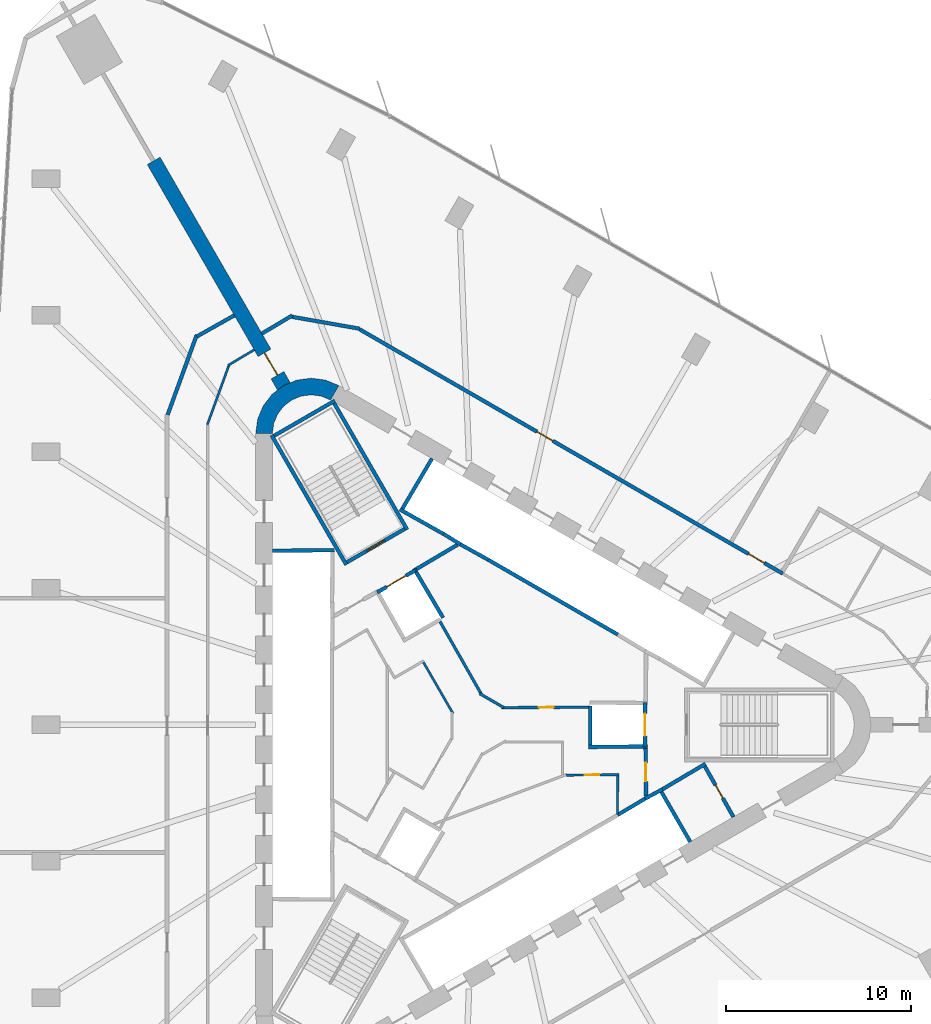
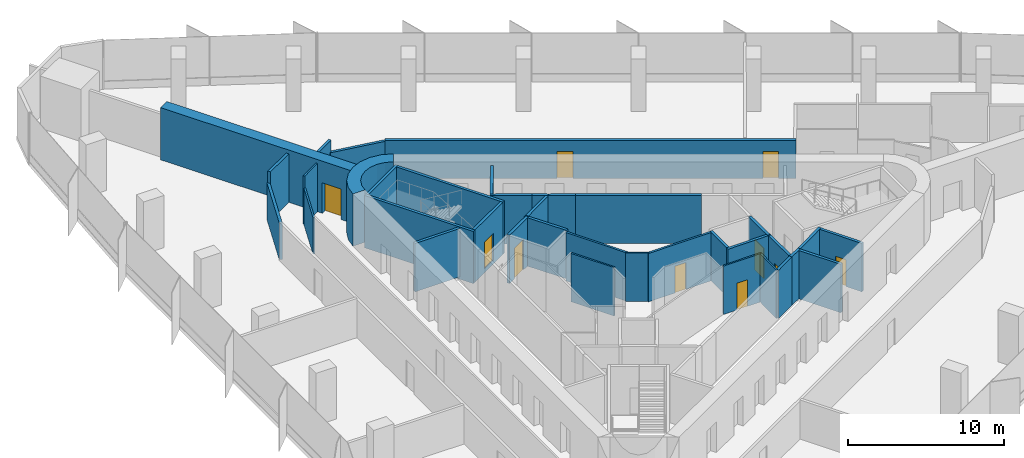
# One storey, part 11 of 14: 37 walls, 10 doors, 10 openings.
"""IFC4 building model written with IfcOpenShell, lengths in metres."""

from ifc_helpers import new_model, si_unit, direction, frame, frame_2d, origin, place, context, subcontext, project, spatial, polyline, rectangle, outline, extrude, material, layer, layer_set, type_object, element, fill, save


model = new_model("IFC4")

# Units and contexts
model_context = context("Model", 3, precision=1e-05, world=origin(), true_north=direction((0.0, 1.0)))
body_context = subcontext(model_context, "Body", "Model", "MODEL_VIEW")
ifc_project = project(units=[si_unit("LENGTHUNIT", "METRE"), si_unit("AREAUNIT", "SQUARE_METRE"), si_unit("VOLUMEUNIT", "CUBIC_METRE"), si_unit("PLANEANGLEUNIT", "RADIAN"), si_unit("MASSUNIT", "GRAM", prefix="KILO")], contexts=[model_context])

# Site, building, storey
site_placement = place(None, origin())
site = spatial("IfcSite", under=ifc_project, at=site_placement, CompositionType="ELEMENT")
building_placement = place(site_placement, origin())
building = spatial("IfcBuilding", under=site, at=building_placement, Name="Tanit Gate Tower", CompositionType="ELEMENT")
storey_placement = place(building_placement, frame((0.0, 0.0, 49.60009765625)))
storey = spatial("IfcBuildingStorey", under=building, at=storey_placement, Name="L08", CompositionType="ELEMENT", Elevation=49.60009765625)

# Wall, opening, door
ifc_material_1 = material(Name="Concrete C60/75", Category="concrete")
ifc_layer_1 = layer(ifc_material_1, 0.800048828125)
ifc_layer_set_1 = layer_set([ifc_layer_1], Name="BUTTRESS FIN 800 C60/75")
wall_type_1 = type_object("IfcWallType", Name="BUTTRESS FIN 800 C60/75", PredefinedType="SHEAR", material=ifc_layer_set_1)
wall_1_placement = place(storey_placement, frame((-10.574951171875, 18.31640625, 0.0), z_axis=(0.0, 0.0, 1.0), x_axis=(-0.499996272984, 0.866027555568, 0.0)))
wall_1 = element("IfcWall", 1, at=wall_1_placement, inside=storey, type_object=wall_type_1, Name="BUTTRESS FIN", PredefinedType="SHEAR", context=body_context, shape_type="SweptSolid", body=[
    extrude(rectangle(XDim=14.09814453125, YDim=0.800048828125, at=frame_2d((7.049072265625, 0.0))), origin(), (0.0, 0.0, 1.0), 4.099853515625),
])
opening_1_placement = place(wall_1_placement, frame((0.699951171875, 0.0, 0.0)))
opening_1 = element("IfcOpeningElement", 2, at=opening_1_placement, cuts=wall_1, Name="Opening P14-S00-F-NW-1", PredefinedType="OPENING", context=body_context, shape_type="SweptSolid", body=[
    extrude(rectangle(XDim=1.39990234375, YDim=2.39990234375, at=frame_2d((0.699951171875, 1.199951171875))), frame((0.0, 0.41015625, 0.0), z_axis=(0.0, -1.0, 0.0), x_axis=(1.0, 0.0, 0.0)), (0.0, 0.0, 1.0), 0.820068359375),
])
ifc_material_2 = material(Name="Timber door leaf", Category="wood")
door_type_1 = type_object("IfcDoorType", Name="INT-DOOR-FIN-PAIR-1400", OperationType="NOTDEFINED", PredefinedType="NOTDEFINED", material=ifc_material_2)
door_1_placement = place(opening_1_placement, origin())
door_1 = element("IfcDoor", 3, at=door_1_placement, inside=storey, type_object=door_type_1, Name="Door P14-S00-F-NW-1", OperationType="DOUBLE_DOOR_SINGLE_SWING", OverallHeight=2.39990234375, OverallWidth=1.39990234375, PredefinedType="NOTDEFINED", context=body_context, shape_type="SweptSolid", body=[
    extrude(rectangle(XDim=1.39990234375, YDim=2.39990234375, at=frame_2d((0.699951171875, 1.199951171875))), frame((0.0, 0.02490234375, 0.0), z_axis=(0.0, -1.0, 0.0), x_axis=(1.0, 0.0, 0.0)), (0.0, 0.0, 1.0), 0.050048828125),
])
fill(opening_1, door_1)

# Walls
ifc_material_3 = material(Name="Concrete C60/75", Category="concrete")
ifc_layer_2 = layer(ifc_material_3, 0.89990234375)
ifc_layer_set_2 = layer_set([ifc_layer_2], Name="CORE WALL 900 C60/75")
wall_type_2 = type_object("IfcWallType", Name="CORE WALL 900 C60/75", PredefinedType="SHEAR", material=ifc_layer_set_2)
wall_2_placement = place(storey_placement, origin())
element("IfcWall", 4, at=wall_2_placement, inside=storey, type_object=wall_type_2, Name="CORE WALL CORNER", PredefinedType="SHEAR", context=body_context, shape_type="SweptSolid", body=[
    extrude(outline(polyline([(-7.60009765625, 18.359619140625), (-8.323486328125, 18.659423828125), (-9.10009765625, 18.76171875), (-9.87646484375, 18.659423828125), (-10.60009765625, 18.359619140625), (-11.22119140625, 17.883056640625), (-11.697998046875, 17.26171875), (-11.997802734375, 16.5380859375), (-12.10009765625, 15.76171875), (-11.199951171875, 15.76171875), (-11.12841796875, 16.30517578125), (-10.918701171875, 16.811767578125), (-10.5849609375, 17.24658203125), (-10.14990234375, 17.580322265625), (-9.6435546875, 17.7900390625), (-9.10009765625, 17.86181640625), (-8.556396484375, 17.7900390625), (-8.050048828125, 17.580322265625), (-7.60009765625, 18.359619140625)])), origin(), (0.0, 0.0, 1.0), 4.099853515625),
])
ifc_material_4 = material(Name="Fire-rated gypsum board partition")
ifc_layer_3 = layer(ifc_material_4, 0.199951171875)
ifc_layer_set_3 = layer_set([ifc_layer_3], Name="INT-WALL-COMPARTMENT")
wall_type_3 = type_object("IfcWallType", Name="INT-WALL-COMPARTMENT", PredefinedType="PARTITIONING", material=ifc_layer_set_3)
wall_3_placement = place(storey_placement, frame((12.244873046875, -2.10888671875, 0.0), z_axis=(0.0, 0.0, 1.0), x_axis=(-0.860414880418, -0.509594185166, 0.0)))
element("IfcWall", 5, at=wall_3_placement, inside=storey, type_object=wall_type_3, Name="Wall Compartment W057", PredefinedType="PARTITIONING", context=body_context, shape_type="SweptSolid", body=[
    extrude(rectangle(XDim=2.7001953125, YDim=0.199951171875, at=frame_2d((1.35009765625, 0.0))), origin(), (0.0, 0.0, 1.0), 3.7998046875),
])

# Wall, opening, door
wall_4_placement = place(storey_placement, frame((13.758056640625, -4.989501953125, 0.0), z_axis=(0.0, 0.0, 1.0), x_axis=(-0.491993409184, 0.87059892334, 0.0)))
wall_4 = element("IfcWall", 6, at=wall_4_placement, inside=storey, type_object=wall_type_3, Name="Wall Compartment W058", PredefinedType="PARTITIONING", context=body_context, shape_type="SweptSolid", body=[
    extrude(rectangle(XDim=3.150146484375, YDim=0.199951171875, at=frame_2d((1.5751953125, 0.0))), origin(), (0.0, 0.0, 1.0), 3.7998046875),
])
opening_2_placement = place(wall_4_placement, frame((1.175048828125, 0.0, 0.0)))
opening_2 = element("IfcOpeningElement", 7, at=opening_2_placement, cuts=wall_4, Name="Opening R08-S00-15", PredefinedType="OPENING", context=body_context, shape_type="SweptSolid", body=[
    extrude(rectangle(XDim=0.800048828125, YDim=2.10009765625, at=frame_2d((0.39990234375, 1.050048828125))), frame((0.0, 0.10986328125, 0.0), z_axis=(0.0, -1.0, 0.0), x_axis=(1.0, 0.0, 0.0)), (0.0, 0.0, 1.0), 0.219970703125),
])
ifc_material_5 = material(Name="Timber door leaf", Category="wood")
door_type_2 = type_object("IfcDoorType", Name="INT-DOOR-RISER-800", OperationType="NOTDEFINED", PredefinedType="USERDEFINED", material=ifc_material_5)
door_2_placement = place(opening_2_placement, origin())
door_2 = element("IfcDoor", 8, at=door_2_placement, inside=storey, type_object=door_type_2, Name="Door R08-S00-15", ObjectType="FIRE DOOR", OperationType="SINGLE_SWING_RIGHT", OverallHeight=2.10009765625, OverallWidth=0.800048828125, PredefinedType="USERDEFINED", context=body_context, shape_type="SweptSolid", body=[
    extrude(rectangle(XDim=0.800048828125, YDim=2.10009765625, at=frame_2d((0.39990234375, 1.050048828125))), frame((0.0, 0.02490234375, 0.0), z_axis=(0.0, -1.0, 0.0), x_axis=(1.0, 0.0, 0.0)), (0.0, 0.0, 1.0), 0.050048828125),
])
fill(opening_2, door_2)

wall_5_placement = place(storey_placement, frame((9.02880859375, -3.850830078125, 0.0), z_axis=(0.0, 0.0, 1.0), x_axis=(-0.010783593937, 0.99994185536, 0.0)))
wall_5 = element("IfcWall", 9, at=wall_5_placement, inside=storey, type_object=wall_type_3, Name="Wall Compartment W060", PredefinedType="PARTITIONING", context=body_context, shape_type="SweptSolid", body=[
    extrude(rectangle(XDim=2.5810546875, YDim=0.199951171875, at=frame_2d((1.29052734375, 0.0))), origin(), (0.0, 0.0, 1.0), 3.7998046875),
])
opening_3_placement = place(wall_5_placement, frame((0.79052734375, 0.0, 0.0)))
opening_3 = element("IfcOpeningElement", 10, at=opening_3_placement, cuts=wall_5, Name="Opening F10-S00-02", PredefinedType="OPENING", context=body_context, shape_type="SweptSolid", body=[
    extrude(rectangle(XDim=1.0, YDim=2.10009765625, at=frame_2d((0.5, 1.050048828125))), frame((0.0, 0.10986328125, 0.0), z_axis=(0.0, -1.0, 0.0), x_axis=(1.0, 0.0, 0.0)), (0.0, 0.0, 1.0), 0.219970703125),
])
ifc_material_6 = material(Name="Fire-rated steel door leaf", Category="steel")
door_type_3 = type_object("IfcDoorType", Name="INT-DOOR-FIRE-1000", OperationType="NOTDEFINED", PredefinedType="USERDEFINED", material=ifc_material_6)
door_3_placement = place(opening_3_placement, origin())
door_3 = element("IfcDoor", 11, at=door_3_placement, inside=storey, type_object=door_type_3, Name="Door F10-S00-02", ObjectType="FIRE DOOR", OperationType="SINGLE_SWING_LEFT", OverallHeight=2.10009765625, OverallWidth=1.0, PredefinedType="USERDEFINED", context=body_context, shape_type="SweptSolid", body=[
    extrude(rectangle(XDim=1.0, YDim=2.10009765625, at=frame_2d((0.5, 1.050048828125))), frame((0.0, 0.02490234375, 0.0), z_axis=(0.0, -1.0, 0.0), x_axis=(1.0, 0.0, 0.0)), (0.0, 0.0, 1.0), 0.050048828125),
])
fill(opening_3, door_3)

# Walls
wall_6_placement = place(storey_placement, frame((-1.1796875, 9.744384765625, 0.0), z_axis=(0.0, 0.0, 1.0), x_axis=(-0.860615607571, -0.509255118781, 0.0)))
element("IfcWall", 12, at=wall_6_placement, inside=storey, type_object=wall_type_3, Name="Wall Compartment W061", PredefinedType="PARTITIONING", context=body_context, shape_type="SweptSolid", body=[
    extrude(rectangle(XDim=2.58056640625, YDim=0.199951171875, at=frame_2d((1.290283203125, 0.0))), origin(), (0.0, 0.0, 1.0), 3.7998046875),
])
wall_7_placement = place(storey_placement, frame((-15.29345703125, 21.1015625, 0.0), z_axis=(0.0, 0.0, 1.0), x_axis=(-0.341981820704, -0.939706568195, 0.0)))
element("IfcWall", 13, at=wall_7_placement, inside=storey, type_object=wall_type_3, Name="Wall Compartment W098", PredefinedType="PARTITIONING", context=body_context, shape_type="SweptSolid", body=[
    extrude(rectangle(XDim=4.597412109375, YDim=0.199951171875, at=frame_2d((2.298828125, 0.0))), origin(), (0.0, 0.0, 1.0), 2.8798828125),
])
wall_8_placement = place(storey_placement, frame((-13.256591796875, 22.1611328125, 0.0), z_axis=(0.0, 0.0, 1.0), x_axis=(-0.871385546515, -0.49059884766, 0.0)))
element("IfcWall", 14, at=wall_8_placement, inside=storey, type_object=wall_type_3, Name="Wall Compartment W099", PredefinedType="PARTITIONING", context=body_context, shape_type="SweptSolid", body=[
    extrude(rectangle(XDim=2.33447265625, YDim=0.199951171875, at=frame_2d((1.167236328125, 0.0))), origin(), (0.0, 0.0, 1.0), 3.7998046875),
])
wall_9_placement = place(storey_placement, frame((-10.11767578125, 22.157470703125, 0.0), z_axis=(0.0, 0.0, 1.0), x_axis=(-0.859118225537, -0.511777172752, 0.0)))
element("IfcWall", 15, at=wall_9_placement, inside=storey, type_object=wall_type_3, Name="Wall Compartment W100", PredefinedType="PARTITIONING", context=body_context, shape_type="SweptSolid", body=[
    extrude(rectangle(XDim=1.916748046875, YDim=0.199951171875, at=frame_2d((0.95849609375, 0.0))), origin(), (0.0, 0.0, 1.0), 3.7998046875),
])
wall_10_placement = place(storey_placement, frame((-6.458984375, 21.435546875, 0.0), z_axis=(0.0, 0.0, 1.0), x_axis=(-0.984812903812, 0.173618963498, 0.0)))
element("IfcWall", 16, at=wall_10_placement, inside=storey, type_object=wall_type_3, Name="Wall Compartment W101", PredefinedType="PARTITIONING", context=body_context, shape_type="SweptSolid", body=[
    extrude(rectangle(XDim=3.76708984375, YDim=0.199951171875, at=frame_2d((1.883544921875, 0.0))), origin(), (0.0, 0.0, 1.0), 2.8798828125),
])

# Wall, openings, doors
wall_11_placement = place(storey_placement, frame((16.4228515625, 8.185302734375, 0.0), z_axis=(0.0, 0.0, 1.0), x_axis=(-0.866026561282, 0.49999799515, 0.0)))
wall_11 = element("IfcWall", 17, at=wall_11_placement, inside=storey, type_object=wall_type_3, Name="Wall Compartment W103", PredefinedType="PARTITIONING", context=body_context, shape_type="SweptSolid", body=[
    extrude(rectangle(XDim=26.43505859375, YDim=0.199951171875, at=frame_2d((13.217529296875, 0.0))), origin(), (0.0, 0.0, 1.0), 2.97998046875),
])
opening_4_placement = place(wall_11_placement, frame((14.3564453125, 0.0, 0.0)))
opening_4 = element("IfcOpeningElement", 18, at=opening_4_placement, cuts=wall_11, Name="Opening F10-S00-24", PredefinedType="OPENING", context=body_context, shape_type="SweptSolid", body=[
    extrude(rectangle(XDim=1.0, YDim=2.10009765625, at=frame_2d((0.5, 1.050048828125))), frame((0.0, 0.10986328125, 0.0), z_axis=(0.0, -1.0, 0.0), x_axis=(1.0, 0.0, 0.0)), (0.0, 0.0, 1.0), 0.219970703125),
])
opening_5_placement = place(wall_11_placement, frame((1.138671875, 0.0, 0.0)))
opening_5 = element("IfcOpeningElement", 19, at=opening_5_placement, cuts=wall_11, Name="Opening F10-S00-25", PredefinedType="OPENING", context=body_context, shape_type="SweptSolid", body=[
    extrude(rectangle(XDim=1.0, YDim=2.10009765625, at=frame_2d((0.5, 1.050048828125))), frame((0.0, 0.10986328125, 0.0), z_axis=(0.0, -1.0, 0.0), x_axis=(1.0, 0.0, 0.0)), (0.0, 0.0, 1.0), 0.219970703125),
])
door_4_placement = place(opening_4_placement, origin())
door_4 = element("IfcDoor", 20, at=door_4_placement, inside=storey, type_object=door_type_3, Name="Door F10-S00-24", ObjectType="FIRE DOOR", OperationType="SINGLE_SWING_LEFT", OverallHeight=2.10009765625, OverallWidth=1.0, PredefinedType="USERDEFINED", context=body_context, shape_type="SweptSolid", body=[
    extrude(rectangle(XDim=1.0, YDim=2.10009765625, at=frame_2d((0.5, 1.050048828125))), frame((0.0, 0.02490234375, 0.0), z_axis=(0.0, -1.0, 0.0), x_axis=(1.0, 0.0, 0.0)), (0.0, 0.0, 1.0), 0.050048828125),
])
fill(opening_4, door_4)
door_5_placement = place(opening_5_placement, origin())
door_5 = element("IfcDoor", 21, at=door_5_placement, inside=storey, type_object=door_type_3, Name="Door F10-S00-25", ObjectType="FIRE DOOR", OperationType="SINGLE_SWING_LEFT", OverallHeight=2.10009765625, OverallWidth=1.0, PredefinedType="USERDEFINED", context=body_context, shape_type="SweptSolid", body=[
    extrude(rectangle(XDim=1.0, YDim=2.10009765625, at=frame_2d((0.5, 1.050048828125))), frame((0.0, 0.02490234375, 0.0), z_axis=(0.0, -1.0, 0.0), x_axis=(1.0, 0.0, 0.0)), (0.0, 0.0, 1.0), 0.050048828125),
])
fill(opening_5, door_5)

# Wall, opening, door
ifc_material_7 = material(Name="Gypsum board partition")
ifc_layer_4 = layer(ifc_material_7, 0.1201171875)
ifc_layer_set_4 = layer_set([ifc_layer_4], Name="INT-WALL-PARTITION")
wall_type_4 = type_object("IfcWallType", Name="INT-WALL-PARTITION", PredefinedType="PARTITIONING", material=ifc_layer_set_4)
wall_12_placement = place(storey_placement, frame((7.56005859375, -2.699462890625, 0.0), z_axis=(0.0, 0.0, 1.0), x_axis=(-0.999948120507, -0.010186083405, 0.0)))
wall_12 = element("IfcWall", 22, at=wall_12_placement, inside=storey, type_object=wall_type_4, Name="Wall Partition W074", PredefinedType="PARTITIONING", context=body_context, shape_type="SweptSolid", body=[
    extrude(rectangle(XDim=2.852294921875, YDim=0.1201171875, at=frame_2d((1.42626953125, 0.0))), origin(), (0.0, 0.0, 1.0), 3.7998046875),
])
opening_6_placement = place(wall_12_placement, frame((1.05615234375, 0.0, 0.0)))
opening_6 = element("IfcOpeningElement", 23, at=opening_6_placement, cuts=wall_12, Name="Opening R08-S00-12", PredefinedType="OPENING", context=body_context, shape_type="SweptSolid", body=[
    extrude(rectangle(XDim=0.800048828125, YDim=2.10009765625, at=frame_2d((0.39990234375, 1.050048828125))), frame((0.0, 0.070068359375, 0.0), z_axis=(0.0, -1.0, 0.0), x_axis=(1.0, 0.0, 0.0)), (0.0, 0.0, 1.0), 0.14013671875),
])
door_6_placement = place(opening_6_placement, origin())
door_6 = element("IfcDoor", 24, at=door_6_placement, inside=storey, type_object=door_type_2, Name="Door R08-S00-12", ObjectType="FIRE DOOR", OperationType="SINGLE_SWING_LEFT", OverallHeight=2.10009765625, OverallWidth=0.800048828125, PredefinedType="USERDEFINED", context=body_context, shape_type="SweptSolid", body=[
    extrude(rectangle(XDim=0.800048828125, YDim=2.10009765625, at=frame_2d((0.39990234375, 1.050048828125))), frame((0.0, 0.02490234375, 0.0), z_axis=(0.0, -1.0, 0.0), x_axis=(1.0, 0.0, 0.0)), (0.0, 0.0, 1.0), 0.050048828125),
])
fill(opening_6, door_6)

# Walls
wall_13_placement = place(storey_placement, frame((7.474609375, -4.864501953125, 0.0), z_axis=(0.0, 0.0, 1.0), x_axis=(0.011716133148, 0.999931363757, 0.0)))
element("IfcWall", 25, at=wall_13_placement, inside=storey, type_object=wall_type_4, Name="Wall Partition W075", PredefinedType="PARTITIONING", context=body_context, shape_type="SweptSolid", body=[
    extrude(rectangle(XDim=2.104736328125, YDim=0.1201171875, at=frame_2d((1.05224609375, 0.0))), origin(), (0.0, 0.0, 1.0), 3.7998046875),
])
wall_14_placement = place(storey_placement, frame((-1.420166015625, 0.610107421875, 0.0), z_axis=(0.0, 0.0, 1.0), x_axis=(-0.500034908033, 0.866005248684, 0.0)))
element("IfcWall", 26, at=wall_14_placement, inside=storey, type_object=wall_type_4, Name="Wall Partition W083", PredefinedType="PARTITIONING", context=body_context, shape_type="SweptSolid", body=[
    extrude(rectangle(XDim=3.201416015625, YDim=0.1201171875, at=frame_2d((1.6005859375, 0.0))), origin(), (0.0, 0.0, 1.0), 3.7998046875),
])
wall_15_placement = place(storey_placement, frame((-12.181396484375, 20.299072265625, 0.0), z_axis=(0.0, 0.0, 1.0), x_axis=(-0.8583241935, -0.51310776534, 0.0)))
element("IfcWall", 27, at=wall_15_placement, inside=storey, type_object=wall_type_4, Name="Wall Partition W088", PredefinedType="PARTITIONING", context=body_context, shape_type="SweptSolid", body=[
    extrude(rectangle(XDim=1.65625, YDim=0.1201171875, at=frame_2d((0.828125, 0.0))), origin(), (0.0, 0.0, 1.0), 3.7998046875),
])
wall_16_placement = place(storey_placement, frame((-13.54931640625, 19.461181640625, 0.0), z_axis=(0.0, 0.0, 1.0), x_axis=(-0.341989191955, -0.939703885586, 0.0)))
element("IfcWall", 28, at=wall_16_placement, inside=storey, type_object=wall_type_4, Name="Wall Partition W089", PredefinedType="PARTITIONING", context=body_context, shape_type="SweptSolid", body=[
    extrude(rectangle(XDim=3.424560546875, YDim=0.1201171875, at=frame_2d((1.71240234375, 0.0))), origin(), (0.0, 0.0, 1.0), 2.8798828125),
])

# Wall, opening, door
ifc_material_8 = material(Name="Fire-rated gypsum board partition")
ifc_layer_5 = layer(ifc_material_8, 0.14990234375)
ifc_layer_set_5 = layer_set([ifc_layer_5], Name="INT-WALL-RISER")
wall_type_5 = type_object("IfcWallType", Name="INT-WALL-RISER", PredefinedType="PLUMBINGWALL", material=ifc_layer_set_5)
wall_17_placement = place(storey_placement, frame((1.21435546875, 0.924072265625, 0.0), z_axis=(0.0, 0.0, 1.0), x_axis=(0.999979796062, 0.006356686907, 0.0)))
wall_17 = element("IfcWall", 29, at=wall_17_placement, inside=storey, type_object=wall_type_5, Name="Wall Riser W065", PredefinedType="PLUMBINGWALL", context=body_context, shape_type="SweptSolid", body=[
    extrude(rectangle(XDim=4.685546875, YDim=0.14990234375, at=frame_2d((2.3427734375, 0.0))), origin(), (0.0, 0.0, 1.0), 3.7998046875),
])
opening_7_placement = place(wall_17_placement, frame((2.0068359375, 0.0, 0.0)))
opening_7 = element("IfcOpeningElement", 30, at=opening_7_placement, cuts=wall_17, Name="Opening R08-S00-10", PredefinedType="OPENING", context=body_context, shape_type="SweptSolid", body=[
    extrude(rectangle(XDim=0.800048828125, YDim=2.10009765625, at=frame_2d((0.39990234375, 1.050048828125))), frame((0.0, 0.0849609375, 0.0), z_axis=(0.0, -1.0, 0.0), x_axis=(1.0, 0.0, 0.0)), (0.0, 0.0, 1.0), 0.169921875),
])
door_7_placement = place(opening_7_placement, origin())
door_7 = element("IfcDoor", 31, at=door_7_placement, inside=storey, type_object=door_type_2, Name="Door R08-S00-10", ObjectType="FIRE DOOR", OperationType="SINGLE_SWING_RIGHT", OverallHeight=2.10009765625, OverallWidth=0.800048828125, PredefinedType="USERDEFINED", context=body_context, shape_type="SweptSolid", body=[
    extrude(rectangle(XDim=0.800048828125, YDim=2.10009765625, at=frame_2d((0.39990234375, 1.050048828125))), frame((0.0, 0.02490234375, 0.0), z_axis=(0.0, -1.0, 0.0), x_axis=(1.0, 0.0, 0.0)), (0.0, 0.0, 1.0), 0.050048828125),
])
fill(opening_7, door_7)

# Walls
wall_18_placement = place(storey_placement, frame((0.01904296875, 1.68896484375, 0.0), z_axis=(0.0, 0.0, 1.0), x_axis=(0.866047774678, -0.499961250474, 0.0)))
element("IfcWall", 32, at=wall_18_placement, inside=storey, type_object=wall_type_5, Name="Wall Riser W066", PredefinedType="PLUMBINGWALL", context=body_context, shape_type="SweptSolid", body=[
    extrude(rectangle(XDim=1.50439453125, YDim=0.14990234375, at=frame_2d((0.752197265625, 0.0))), origin(), (0.0, 0.0, 1.0), 3.7998046875),
])
wall_19_placement = place(storey_placement, frame((-2.1240234375, 5.58642578125, 0.0), z_axis=(0.0, 0.0, 1.0), x_axis=(0.494514430604, -0.869169418424, 0.0)))
element("IfcWall", 33, at=wall_19_placement, inside=storey, type_object=wall_type_5, Name="Wall Riser W067", PredefinedType="PLUMBINGWALL", context=body_context, shape_type="SweptSolid", body=[
    extrude(rectangle(XDim=4.5341796875, YDim=0.14990234375, at=frame_2d((2.26708984375, 0.0))), origin(), (0.0, 0.0, 1.0), 3.7998046875),
])
ifc_material_9 = material(Name="Gypsum shaft wall system")
ifc_layer_6 = layer(ifc_material_9, 0.199951171875)
ifc_layer_set_6 = layer_set([ifc_layer_6], Name="INT-WALL-SHAFT")
wall_type_6 = type_object("IfcWallType", Name="INT-WALL-SHAFT", PredefinedType="PLUMBINGWALL", material=ifc_layer_set_6)
wall_20_placement = place(storey_placement, frame((-11.199951171875, 9.419921875, 0.0), z_axis=(0.0, 0.0, 1.0), x_axis=(0.999957167047, 0.009255488683, 0.0)))
element("IfcWall", 34, at=wall_20_placement, inside=storey, type_object=wall_type_6, Name="Wall Shaft W001", PredefinedType="PLUMBINGWALL", context=body_context, shape_type="SweptSolid", body=[
    extrude(rectangle(XDim=3.35009765625, YDim=0.199951171875, at=frame_2d((1.675048828125, 0.0))), origin(), (0.0, 0.0, 1.0), 3.7998046875),
])
wall_21_placement = place(storey_placement, frame((7.497314453125, 4.885986328125, 0.0), z_axis=(0.0, 0.0, 1.0), x_axis=(-0.866030989016, 0.499990325971, 0.0)))
element("IfcWall", 35, at=wall_21_placement, inside=storey, type_object=wall_type_6, Name="Wall Shaft W003", PredefinedType="PLUMBINGWALL", context=body_context, shape_type="SweptSolid", body=[
    extrude(rectangle(XDim=8.099853515625, YDim=0.199951171875, at=frame_2d((4.0498046875, 0.0))), origin(), (0.0, 0.0, 1.0), 3.7998046875),
])
wall_22_placement = place(storey_placement, frame((-1.940673828125, 10.338623046875, 0.0), z_axis=(0.0, 0.0, 1.0), x_axis=(0.850216889117, -0.526432561171, 0.0)))
element("IfcWall", 36, at=wall_22_placement, inside=storey, type_object=wall_type_6, Name="Wall Shaft W019", PredefinedType="PLUMBINGWALL", context=body_context, shape_type="SweptSolid", body=[
    extrude(rectangle(XDim=1.078369140625, YDim=0.199951171875, at=frame_2d((0.5390625, 0.0))), origin(), (0.0, 0.0, 1.0), 3.7998046875),
])
wall_23_placement = place(storey_placement, frame((0.482666015625, 8.935791015625, 0.0), z_axis=(0.0, 0.0, 1.0), x_axis=(-0.874269620932, 0.485440655401, 0.0)))
element("IfcWall", 37, at=wall_23_placement, inside=storey, type_object=wall_type_6, Name="Wall Shaft W020", PredefinedType="PLUMBINGWALL", context=body_context, shape_type="SweptSolid", body=[
    extrude(rectangle(XDim=1.8447265625, YDim=0.199951171875, at=frame_2d((0.92236328125, 0.0))), origin(), (0.0, 0.0, 1.0), 3.7998046875),
])
wall_24_placement = place(storey_placement, frame((-4.296142578125, 11.658935546875, 0.0), z_axis=(0.0, 0.0, 1.0), x_axis=(0.871534483978, -0.490334215854, 0.0)))
element("IfcWall", 38, at=wall_24_placement, inside=storey, type_object=wall_type_6, Name="Wall Shaft W021", PredefinedType="PLUMBINGWALL", context=body_context, shape_type="SweptSolid", body=[
    extrude(rectangle(XDim=2.7001953125, YDim=0.199951171875, at=frame_2d((1.35009765625, 0.0))), origin(), (0.0, 0.0, 1.0), 3.7998046875),
])
wall_25_placement = place(storey_placement, frame((-4.158203125, 11.696044921875, 0.0), z_axis=(0.0, 0.0, 1.0), x_axis=(0.508018930956, 0.861345903683, 0.0)))
element("IfcWall", 39, at=wall_25_placement, inside=storey, type_object=wall_type_6, Name="Wall Shaft W022", PredefinedType="PLUMBINGWALL", context=body_context, shape_type="SweptSolid", body=[
    extrude(rectangle(XDim=3.150146484375, YDim=0.199951171875, at=frame_2d((1.5751953125, 0.0))), origin(), (0.0, 0.0, 1.0), 3.7998046875),
])
wall_26_placement = place(storey_placement, frame((9.794677734375, -3.52490234375, 0.0), z_axis=(0.0, 0.0, 1.0), x_axis=(0.499984717929, -0.866034226713, 0.0)))
element("IfcWall", 40, at=wall_26_placement, inside=storey, type_object=wall_type_6, Name="Wall Shaft W024", PredefinedType="PLUMBINGWALL", context=body_context, shape_type="SweptSolid", body=[
    extrude(rectangle(XDim=3.25, YDim=0.199951171875, at=frame_2d((1.625, 0.0))), origin(), (0.0, 0.0, 1.0), 3.7998046875),
])
wall_27_placement = place(storey_placement, frame((8.97412109375, -3.998779296875, 0.0), z_axis=(0.0, 0.0, 1.0), x_axis=(0.880907015104, 0.473289373154, 0.0)))
element("IfcWall", 41, at=wall_27_placement, inside=storey, type_object=wall_type_6, Name="Wall Shaft W025", PredefinedType="PLUMBINGWALL", context=body_context, shape_type="SweptSolid", body=[
    extrude(rectangle(XDim=1.078125, YDim=0.199951171875, at=frame_2d((0.5390625, 0.0))), origin(), (0.0, 0.0, 1.0), 3.7998046875),
])
wall_28_placement = place(storey_placement, frame((7.4931640625, -4.87841796875, 0.0), z_axis=(0.0, 0.0, 1.0), x_axis=(0.859981807212, 0.510324691999, 0.0)))
element("IfcWall", 42, at=wall_28_placement, inside=storey, type_object=wall_type_6, Name="Wall Shaft W026", PredefinedType="PLUMBINGWALL", context=body_context, shape_type="SweptSolid", body=[
    extrude(rectangle(XDim=1.8447265625, YDim=0.199951171875, at=frame_2d((0.92236328125, 0.0))), origin(), (0.0, 0.0, 1.0), 3.7998046875),
])

# Wall, opening, door
wall_29_placement = place(storey_placement, frame((8.969970703125, 1.199951171875, 0.0), z_axis=(0.0, 0.0, 1.0), x_axis=(0.0, -1.0, 0.0)))
wall_29 = element("IfcWall", 43, at=wall_29_placement, inside=storey, type_object=wall_type_6, Name="Wall Shaft W037", PredefinedType="PLUMBINGWALL", context=body_context, shape_type="SweptSolid", body=[
    extrude(rectangle(XDim=2.39990234375, YDim=0.199951171875, at=frame_2d((1.199951171875, 0.0))), origin(), (0.0, 0.0, 1.0), 3.7998046875),
])
opening_8_placement = place(wall_29_placement, frame((0.60009765625, 0.0, 0.0)))
opening_8 = element("IfcOpeningElement", 44, at=opening_8_placement, cuts=wall_29, Name="Opening LDFL1-L08", PredefinedType="OPENING", context=body_context, shape_type="SweptSolid", body=[
    extrude(rectangle(XDim=1.199951171875, YDim=2.39990234375, at=frame_2d((0.60009765625, 1.199951171875))), frame((0.0, 0.10986328125, 0.0), z_axis=(0.0, -1.0, 0.0), x_axis=(1.0, 0.0, 0.0)), (0.0, 0.0, 1.0), 0.219970703125),
])
ifc_material_10 = material(Name="Stainless steel sliding door leaf", Category="steel")
door_type_4 = type_object("IfcDoorType", Name="INT-DOOR-LANDING-1200", OperationType="NOTDEFINED", PredefinedType="USERDEFINED", material=ifc_material_10)
door_8_placement = place(opening_8_placement, origin())
door_8 = element("IfcDoor", 45, at=door_8_placement, inside=storey, type_object=door_type_4, Name="Door LDFL1-L08", ObjectType="LANDING DOOR", OperationType="SLIDING_TO_LEFT", OverallHeight=2.39990234375, OverallWidth=1.199951171875, PredefinedType="USERDEFINED", context=body_context, shape_type="SweptSolid", body=[
    extrude(rectangle(XDim=1.199951171875, YDim=2.39990234375, at=frame_2d((0.60009765625, 1.199951171875))), frame((0.0, 0.02490234375, 0.0), z_axis=(0.0, -1.0, 0.0), x_axis=(1.0, 0.0, 0.0)), (0.0, 0.0, 1.0), 0.050048828125),
])
fill(opening_8, door_8)

# Walls
wall_30_placement = place(storey_placement, frame((5.89990234375, -1.200927734375, 0.0), z_axis=(0.0, 0.0, 1.0), x_axis=(0.999950064753, 0.009993397809, 0.0)))
element("IfcWall", 46, at=wall_30_placement, inside=storey, type_object=wall_type_6, Name="Wall Shaft W039", PredefinedType="PLUMBINGWALL", context=body_context, shape_type="SweptSolid", body=[
    extrude(rectangle(XDim=3.200439453125, YDim=0.199951171875, at=frame_2d((1.60009765625, 0.0))), origin(), (0.0, 0.0, 1.0), 3.7998046875),
])
wall_31_placement = place(storey_placement, frame((6.0, -1.10009765625, 0.0), z_axis=(0.0, 0.0, 1.0), x_axis=(0.0, 1.0, 0.0)))
element("IfcWall", 47, at=wall_31_placement, inside=storey, type_object=wall_type_6, Name="Wall Shaft W040", PredefinedType="PLUMBINGWALL", context=body_context, shape_type="SweptSolid", body=[
    extrude(rectangle(XDim=2.129638671875, YDim=0.199951171875, at=frame_2d((1.06494140625, 0.0))), origin(), (0.0, 0.0, 1.0), 3.7998046875),
])

# Wall, opening, door
wall_32_placement = place(storey_placement, frame((-5.524169921875, 7.168212890625, 0.0), z_axis=(0.0, 0.0, 1.0), x_axis=(0.866024647952, 0.500001309137, 0.0)))
wall_32 = element("IfcWall", 48, at=wall_32_placement, inside=storey, type_object=wall_type_6, Name="Wall Shaft W045", PredefinedType="PLUMBINGWALL", context=body_context, shape_type="SweptSolid", body=[
    extrude(rectangle(XDim=2.39990234375, YDim=0.199951171875, at=frame_2d((1.199951171875, 0.0))), origin(), (0.0, 0.0, 1.0), 3.7998046875),
])
opening_9_placement = place(wall_32_placement, frame((0.60009765625, 0.0, 0.0)))
opening_9 = element("IfcOpeningElement", 49, at=opening_9_placement, cuts=wall_32, Name="Opening LDFL2-L08", PredefinedType="OPENING", context=body_context, shape_type="SweptSolid", body=[
    extrude(rectangle(XDim=1.199951171875, YDim=2.39990234375, at=frame_2d((0.60009765625, 1.199951171875))), frame((0.0, 0.10986328125, 0.0), z_axis=(0.0, -1.0, 0.0), x_axis=(1.0, 0.0, 0.0)), (0.0, 0.0, 1.0), 0.219970703125),
])
door_9_placement = place(opening_9_placement, origin())
door_9 = element("IfcDoor", 50, at=door_9_placement, inside=storey, type_object=door_type_4, Name="Door LDFL2-L08", ObjectType="LANDING DOOR", OperationType="SLIDING_TO_LEFT", OverallHeight=2.39990234375, OverallWidth=1.199951171875, PredefinedType="USERDEFINED", context=body_context, shape_type="SweptSolid", body=[
    extrude(rectangle(XDim=1.199951171875, YDim=2.39990234375, at=frame_2d((0.60009765625, 1.199951171875))), frame((0.0, 0.02490234375, 0.0), z_axis=(0.0, -1.0, 0.0), x_axis=(1.0, 0.0, 0.0)), (0.0, 0.0, 1.0), 0.050048828125),
])
fill(opening_9, door_9)

# Walls
wall_33_placement = place(storey_placement, frame((-3.53759765625, 8.46533203125, 0.0), z_axis=(0.0, 0.0, 1.0), x_axis=(0.508647062354, -0.860975125052, 0.0)))
element("IfcWall", 51, at=wall_33_placement, inside=storey, type_object=wall_type_6, Name="Wall Shaft W046", PredefinedType="PLUMBINGWALL", context=body_context, shape_type="SweptSolid", body=[
    extrude(rectangle(XDim=3.10009765625, YDim=0.199951171875, at=frame_2d((1.550048828125, 0.0))), origin(), (0.0, 0.0, 1.0), 3.7998046875),
])
ifc_material_11 = material(Name="Concrete C40/50", Category="concrete")
ifc_layer_7 = layer(ifc_material_11, 0.199951171875)
ifc_layer_set_7 = layer_set([ifc_layer_7], Name="INT-WALL-STAIR")
wall_type_7 = type_object("IfcWallType", Name="INT-WALL-STAIR", PredefinedType="SHEAR", material=ifc_layer_set_7)
wall_34_placement = place(storey_placement, frame((-11.245361328125, 15.677734375, -0.300048828125), z_axis=(0.0, 0.0, 1.0), x_axis=(0.499977274689, -0.866038523851, 0.0)))
element("IfcWall", 52, at=wall_34_placement, inside=storey, type_object=wall_type_7, Name="Wall Stair W041", PredefinedType="SHEAR", context=body_context, shape_type="SweptSolid", body=[
    extrude(rectangle(XDim=8.10009765625, YDim=0.199951171875, at=frame_2d((4.050048828125, 0.0))), origin(), (0.0, 0.0, 1.0), 4.099853515625),
])
wall_35_placement = place(storey_placement, frame((-7.81787109375, 17.541015625, -0.300048828125), z_axis=(0.0, 0.0, 1.0), x_axis=(-0.866044365799, -0.499967155389, 0.0)))
element("IfcWall", 53, at=wall_35_placement, inside=storey, type_object=wall_type_7, Name="Wall Stair W042", PredefinedType="SHEAR", context=body_context, shape_type="SweptSolid", body=[
    extrude(rectangle(XDim=3.800048828125, YDim=0.199951171875, at=frame_2d((1.89990234375, 0.0))), origin(), (0.0, 0.0, 1.0), 4.099853515625),
])
wall_36_placement = place(storey_placement, frame((-7.8544921875, 17.404541015625, -0.300048828125), z_axis=(0.0, 0.0, 1.0), x_axis=(0.499997992926, -0.866026562566, 0.0)))
element("IfcWall", 54, at=wall_36_placement, inside=storey, type_object=wall_type_7, Name="Wall Stair W043", PredefinedType="SHEAR", context=body_context, shape_type="SweptSolid", body=[
    extrude(rectangle(XDim=7.89990234375, YDim=0.199951171875, at=frame_2d((3.949951171875, 0.0))), origin(), (0.0, 0.0, 1.0), 4.099853515625),
])

# Wall, opening, door
wall_37_placement = place(storey_placement, frame((-7.158935546875, 8.799560546875, -0.300048828125), z_axis=(0.0, 0.0, 1.0), x_axis=(0.866047807691, 0.499961193289, 0.0)))
wall_37 = element("IfcWall", 55, at=wall_37_placement, inside=storey, type_object=wall_type_7, Name="Wall Stair W044", PredefinedType="SHEAR", context=body_context, shape_type="SweptSolid", body=[
    extrude(rectangle(XDim=3.599853515625, YDim=0.199951171875, at=frame_2d((1.7998046875, 0.0))), origin(), (0.0, 0.0, 1.0), 4.099853515625),
])
opening_10_placement = place(wall_37_placement, frame((1.25, 0.0, 0.300048828125)))
opening_10 = element("IfcOpeningElement", 56, at=opening_10_placement, cuts=wall_37, Name="Opening S11-S00-04", PredefinedType="OPENING", context=body_context, shape_type="SweptSolid", body=[
    extrude(rectangle(XDim=1.10009765625, YDim=2.10009765625, at=frame_2d((0.550048828125, 1.050048828125))), frame((0.0, 0.10986328125, 0.0), z_axis=(0.0, -1.0, 0.0), x_axis=(1.0, 0.0, 0.0)), (0.0, 0.0, 1.0), 0.219970703125),
])
ifc_material_12 = material(Name="Timber door leaf", Category="wood")
door_type_5 = type_object("IfcDoorType", Name="INT-DOOR-STAIR-1100", OperationType="NOTDEFINED", PredefinedType="USERDEFINED", material=ifc_material_12)
door_10_placement = place(opening_10_placement, origin())
door_10 = element("IfcDoor", 57, at=door_10_placement, inside=storey, type_object=door_type_5, Name="Door S11-S00-04", ObjectType="FIRE DOOR", OperationType="SINGLE_SWING_LEFT", OverallHeight=2.10009765625, OverallWidth=1.10009765625, PredefinedType="USERDEFINED", context=body_context, shape_type="SweptSolid", body=[
    extrude(rectangle(XDim=1.10009765625, YDim=2.10009765625, at=frame_2d((0.550048828125, 1.050048828125))), frame((0.0, 0.02490234375, 0.0), z_axis=(0.0, -1.0, 0.0), x_axis=(1.0, 0.0, 0.0)), (0.0, 0.0, 1.0), 0.050048828125),
])
fill(opening_10, door_10)

save(model, "model.ifc")
